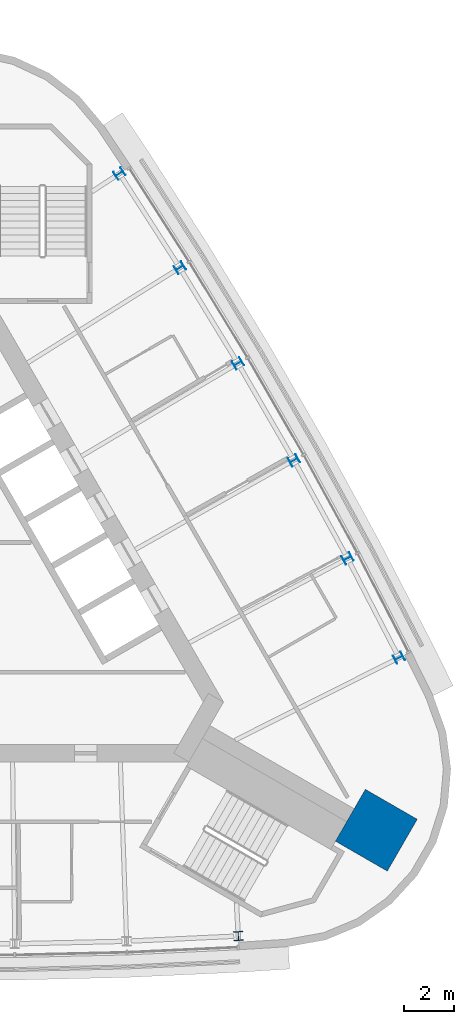
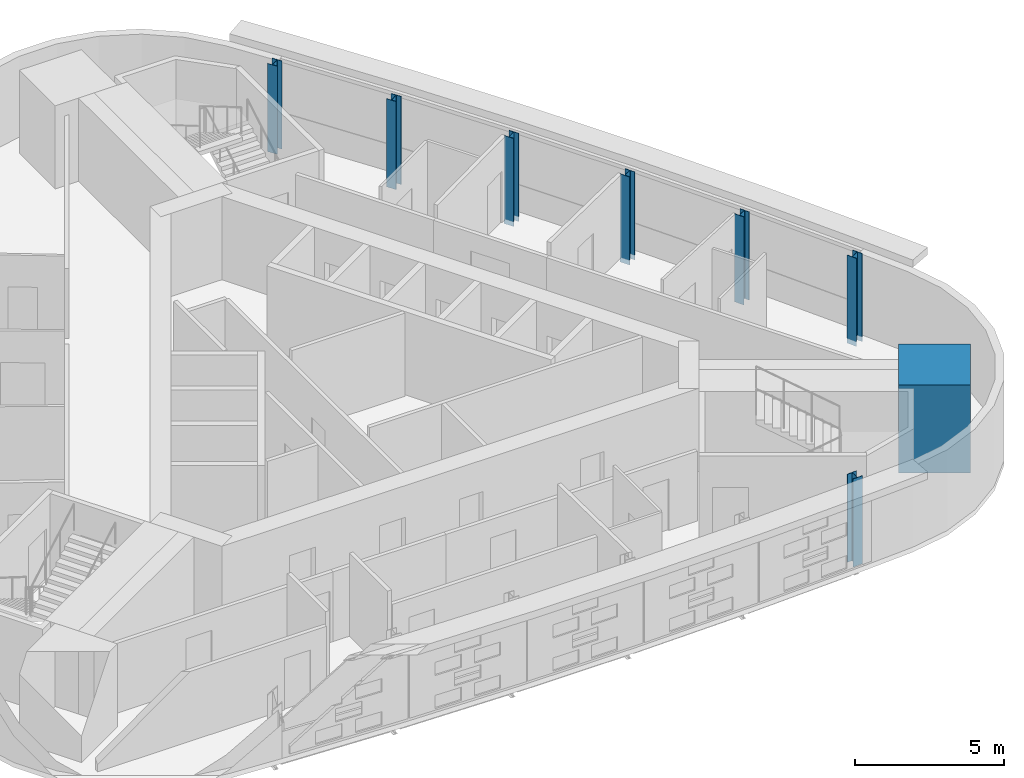
# One storey, part 2 of 13: 8 columns.
"""IFC4 building model written with IfcOpenShell, lengths in metres."""

from ifc_helpers import new_model, si_unit, direction, frame, origin, origin_2d, place, context, subcontext, project, spatial, rectangle, i_section, extrude, material, material_profile, profile_set, type_object, element, save


model = new_model("IFC4")

# Units and contexts
model_context = context("Model", 3, precision=1e-05, world=origin(), true_north=direction((0.0, 1.0)))
body_context = subcontext(model_context, "Body", "Model", "MODEL_VIEW")
ifc_project = project(units=[si_unit("LENGTHUNIT", "METRE"), si_unit("AREAUNIT", "SQUARE_METRE"), si_unit("VOLUMEUNIT", "CUBIC_METRE"), si_unit("PLANEANGLEUNIT", "RADIAN"), si_unit("MASSUNIT", "GRAM", prefix="KILO")], contexts=[model_context])

# Site, building, storey
site_placement = place(None, origin())
site = spatial("IfcSite", under=ifc_project, at=site_placement, CompositionType="ELEMENT")
building_placement = place(site_placement, origin())
building = spatial("IfcBuilding", under=site, at=building_placement, Name="Noor Cloister Tower", CompositionType="ELEMENT")
storey_placement = place(building_placement, frame((0.0, 0.0, 267.0)))
storey = spatial("IfcBuildingStorey", under=building, at=storey_placement, Name="L68", CompositionType="ELEMENT", Elevation=267.0)

# Columns
ifc_material_1 = material(Name="Steel ASTM A992 Gr 50", Category="steel")
ifc_material_profile_1 = material_profile(ifc_material_1, i_section(OverallWidth=0.37109375, OverallDepth=0.361083984375, WebThickness=0.01220703125, FlangeThickness=0.019775390625, FilletRadius=0.015380859375, at=origin_2d()), Name="W360x147")
ifc_profile_set_1 = profile_set([ifc_material_profile_1], Name="Steel ASTM A992 Gr 50")
column_type_1 = type_object("IfcColumnType", Name="Column W360x147", PredefinedType="COLUMN", material=ifc_profile_set_1)
for number, where, z_axis, x_axis, name in (
    (1, (11.2119140625, -13.911376953125, -0.199951171875), (0.0, 0.0, 1.0), (0.998319577082, 0.057948442721, 0.0), "Column S 06 L68"),
    (2, (17.653564453125, -2.75390625, -0.199951171875), (0.0, 0.0, 1.0), (-0.448974965035, 0.893544336209, 0.0), "Column NE 01 L68"),
    (3, (15.592529296875, 1.231689453125, -0.199951171875), (0.0, 0.0, 1.0), (-0.469575774469, 0.882892174635, 0.0), "Column NE 02 L68"),
    (4, (13.439697265625, 5.168701171875, -0.199951171875), (0.0, 0.0, 1.0), (-0.489924016972, 0.87176513901, 0.0), "Column NE 03 L68"),
    (5, (11.196044921875, 9.0546875, -0.199951171875), (0.0, 0.0, 1.0), (-0.51000874803, 0.860169214127, 0.0), "Column NE 04 L68"),
    (6, (8.863037109375, 12.8876953125, -0.199951171875), (0.0, 0.0, 1.0), (-0.529819164802, 0.84811063701, 0.0), "Column NE 05 L68"),
    (7, (6.441650390625, 16.66552734375, -0.199951171875), (0.0, 0.0, 1.0), (-0.549344612048, 0.835595893488, 0.0), "Column NE 06 L68"),
):
    element("IfcColumn", number, at=place(storey_placement, frame(where, z_axis=z_axis, x_axis=x_axis)), inside=storey, type_object=column_type_1, Name=name, PredefinedType="COLUMN", context=body_context, shape_type="SweptSolid", body=[
        extrude(i_section(OverallWidth=0.37109375, OverallDepth=0.361083984375, WebThickness=0.01220703125, FlangeThickness=0.019775390625, FilletRadius=0.015380859375, at=origin_2d()), origin(), (0.0, 0.0, 1.0), 3.599853515625),
    ])
ifc_material_2 = material(Name="Concrete C60/75", Category="concrete")
ifc_material_profile_2 = material_profile(ifc_material_2, rectangle(XDim=2.39990234375, YDim=2.39990234375, at=origin_2d()), Name="RC 2400x2400")
ifc_profile_set_2 = profile_set([ifc_material_profile_2], Name="Concrete C60/75")
column_type_2 = type_object("IfcColumnType", Name="Corner pier 2400 x 2400 C60/75", PredefinedType="COLUMN", material=ifc_profile_set_2)
column_placement = place(storey_placement, frame((16.74462890625, -9.66748046875, -0.199951171875), z_axis=(0.0, 0.0, 1.0), x_axis=(0.866025403784, -0.5, 0.0)))
element("IfcColumn", 8, at=column_placement, inside=storey, type_object=column_type_2, Name="Corner pier SE L68", PredefinedType="COLUMN", context=body_context, shape_type="SweptSolid", body=[
    extrude(rectangle(XDim=2.39990234375, YDim=2.39990234375, at=origin_2d()), origin(), (0.0, 0.0, 1.0), 3.599853515625),
])

save(model, "model.ifc")
